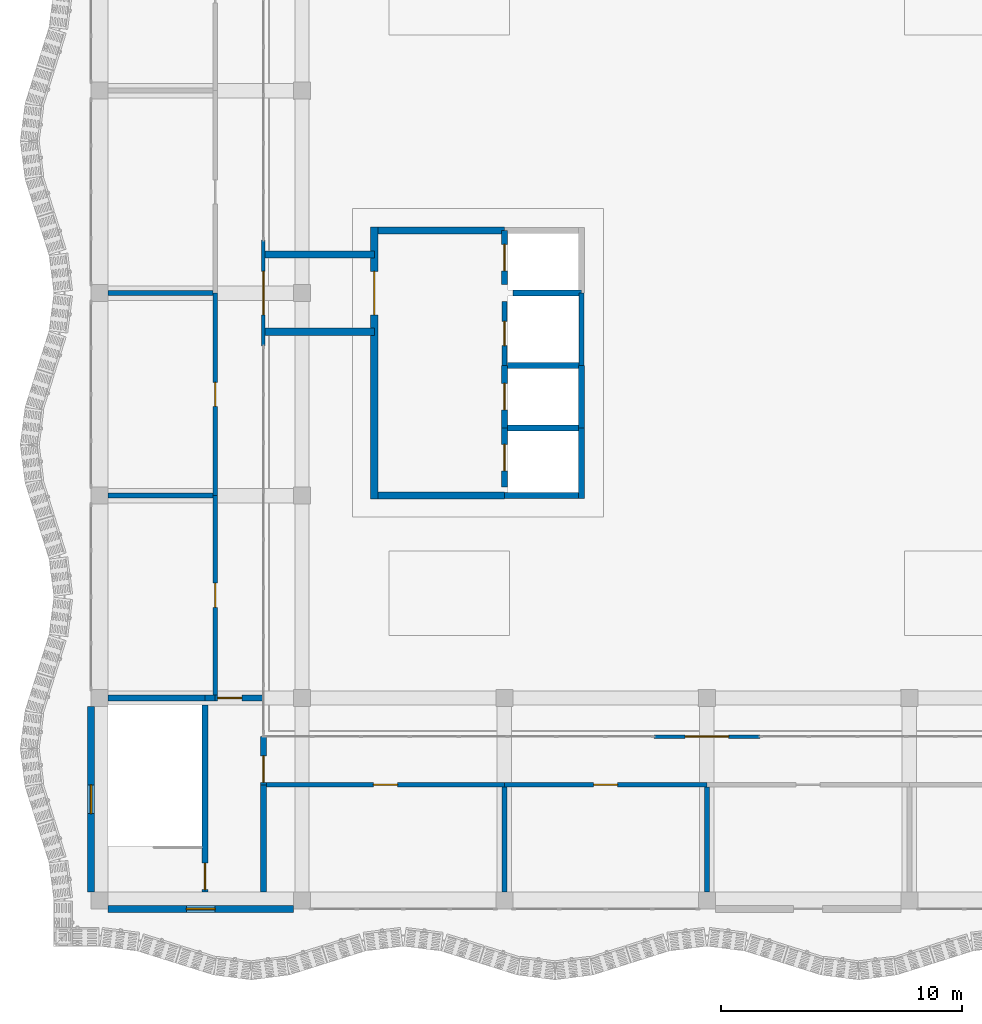
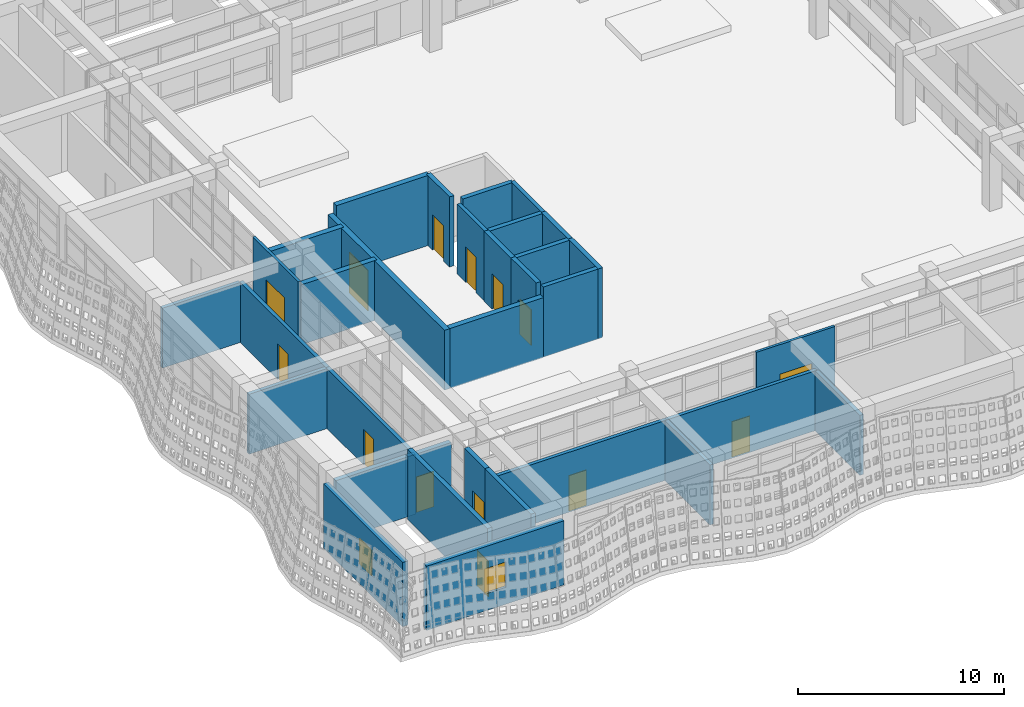
# One storey, part 40 of 85: 34 walls, 14 doors, 2 windows, 16 openings.
"""IFC4 building model written with IfcOpenShell, lengths in metres."""

from ifc_helpers import new_model, si_unit, direction, frame, frame_2d, origin, place, context, subcontext, project, spatial, rectangle, extrude, material, layer, layer_set, type_object, element, fill, save


model = new_model("IFC4")

# Units and contexts
model_context = context("Model", 3, precision=1e-05, world=origin(), true_north=direction((0.0, 1.0)))
body_context = subcontext(model_context, "Body", "Model", "MODEL_VIEW")
ifc_project = project(units=[si_unit("LENGTHUNIT", "METRE"), si_unit("AREAUNIT", "SQUARE_METRE"), si_unit("VOLUMEUNIT", "CUBIC_METRE"), si_unit("PLANEANGLEUNIT", "RADIAN"), si_unit("MASSUNIT", "GRAM", prefix="KILO")], contexts=[model_context])

# Site, building, storey
site_placement = place(None, origin())
site = spatial("IfcSite", under=ifc_project, at=site_placement, CompositionType="ELEMENT")
building_placement = place(site_placement, origin())
building = spatial("IfcBuilding", under=site, at=building_placement, Name="Rain Tree Exposition and Congress Centre", CompositionType="ELEMENT")
storey_placement = place(building_placement, frame((0.0, 0.0, 15.0)))
storey = spatial("IfcBuildingStorey", under=building, at=storey_placement, Name="L03", CompositionType="ELEMENT", Elevation=15.0)

# Wall, opening, door
ifc_material_1 = material(Name="Plasterboard on steel stud", Category="steel")
ifc_layer_1 = layer(ifc_material_1, 0.199951171875)
ifc_layer_set_1 = layer_set([ifc_layer_1], Name="Plasterboard on steel stud")
wall_type_1 = type_object("IfcWallType", Name="Wing acoustic partition 200", PredefinedType="PARTITIONING", material=ifc_layer_set_1)
wall_1_placement = place(storey_placement, frame((6.925048828125, 4.800048828125, 0.0), z_axis=(0.0, 0.0, 1.0), x_axis=(1.0, 0.0, 0.0)))
wall_1 = element("IfcWall", 1, at=wall_1_placement, inside=storey, type_object=wall_type_1, Name="wing/wall/L03/001", PredefinedType="PARTITIONING", context=body_context, shape_type="SweptSolid", body=[
    extrude(rectangle(XDim=9.875, YDim=0.199951171875, at=frame_2d((4.9375, 0.0))), origin(), (0.0, 0.0, 1.0), 3.550048828125),
])
opening_1_placement = place(wall_1_placement, frame((4.4375, 0.0, 0.0)))
opening_1 = element("IfcOpeningElement", 2, at=opening_1_placement, cuts=wall_1, Name="Opening DW417", PredefinedType="OPENING", context=body_context, shape_type="SweptSolid", body=[
    extrude(rectangle(XDim=1.0, YDim=2.10009765625, at=frame_2d((0.5, 1.050048828125))), frame((0.0, 0.10009765625, 0.0), z_axis=(0.0, -1.0, 0.0), x_axis=(1.0, 0.0, 0.0)), (0.0, 0.0, 1.0), 0.199951171875),
])
ifc_material_2 = material(Name="Timber door leaf", Category="wood")
door_type_1 = type_object("IfcDoorType", Name="Wing door FD30S 1000x2100", OperationType="NOTDEFINED", PredefinedType="DOOR", material=ifc_material_2)
door_1_placement = place(opening_1_placement, origin())
door_1 = element("IfcDoor", 3, at=door_1_placement, inside=storey, type_object=door_type_1, Name="Door DW417", OperationType="SINGLE_SWING_LEFT", OverallHeight=2.10009765625, OverallWidth=1.0, PredefinedType="DOOR", context=body_context, shape_type="SweptSolid", body=[
    extrude(rectangle(XDim=1.0, YDim=2.10009765625, at=frame_2d((0.5, 1.050048828125))), frame((0.0, 0.02490234375, 0.0), z_axis=(0.0, -1.0, 0.0), x_axis=(1.0, 0.0, 0.0)), (0.0, 0.0, 1.0), 0.050048828125),
])
fill(opening_1, door_1)

wall_2_placement = place(storey_placement, frame((16.800048828125, 4.800048828125, 0.0), z_axis=(0.0, 0.0, 1.0), x_axis=(1.0, 0.0, 0.0)))
wall_2 = element("IfcWall", 4, at=wall_2_placement, inside=storey, type_object=wall_type_1, Name="wing/wall/L03/002", PredefinedType="PARTITIONING", context=body_context, shape_type="SweptSolid", body=[
    extrude(rectangle(XDim=8.39990234375, YDim=0.199951171875, at=frame_2d((4.199951171875, 0.0))), origin(), (0.0, 0.0, 1.0), 3.550048828125),
])
opening_2_placement = place(wall_2_placement, frame((3.699951171875, 0.0, 0.0)))
opening_2 = element("IfcOpeningElement", 5, at=opening_2_placement, cuts=wall_2, Name="Opening DW418", PredefinedType="OPENING", context=body_context, shape_type="SweptSolid", body=[
    extrude(rectangle(XDim=1.0, YDim=2.10009765625, at=frame_2d((0.5, 1.050048828125))), frame((0.0, 0.10009765625, 0.0), z_axis=(0.0, -1.0, 0.0), x_axis=(1.0, 0.0, 0.0)), (0.0, 0.0, 1.0), 0.199951171875),
])
door_2_placement = place(opening_2_placement, origin())
door_2 = element("IfcDoor", 6, at=door_2_placement, inside=storey, type_object=door_type_1, Name="Door DW418", OperationType="SINGLE_SWING_LEFT", OverallHeight=2.10009765625, OverallWidth=1.0, PredefinedType="DOOR", context=body_context, shape_type="SweptSolid", body=[
    extrude(rectangle(XDim=1.0, YDim=2.10009765625, at=frame_2d((0.5, 1.050048828125))), frame((0.0, 0.02490234375, 0.0), z_axis=(0.0, -1.0, 0.0), x_axis=(1.0, 0.0, 0.0)), (0.0, 0.0, 1.0), 0.050048828125),
])
fill(opening_2, door_2)

# Walls
for number, where, z_axis, x_axis, name in (
    (7, (0.35009765625, 16.800048828125, 0.0), (0.0, 0.0, 1.0), (1.0, 0.0, 0.0), "wing/wall/L03/011"),
    (8, (0.35009765625, 25.199951171875, 0.0), (0.0, 0.0, 1.0), (1.0, 0.0, 0.0), "wing/wall/L03/018"),
):
    element("IfcWall", number, at=place(storey_placement, frame(where, z_axis=z_axis, x_axis=x_axis)), inside=storey, type_object=wall_type_1, Name=name, PredefinedType="PARTITIONING", context=body_context, shape_type="SweptSolid", body=[
        extrude(rectangle(XDim=4.349853515625, YDim=0.199951171875, at=frame_2d((2.1748046875, 0.0))), origin(), (0.0, 0.0, 1.0), 3.550048828125),
    ])

# Wall, opening, door
wall_3_placement = place(storey_placement, frame((4.800048828125, 8.52490234375, 0.0), z_axis=(0.0, 0.0, 1.0), x_axis=(0.0, 1.0, 0.0)))
wall_3 = element("IfcWall", 9, at=wall_3_placement, inside=storey, type_object=wall_type_1, Name="wing/wall/L03/039", PredefinedType="PARTITIONING", context=body_context, shape_type="SweptSolid", body=[
    extrude(rectangle(XDim=8.275146484375, YDim=0.199951171875, at=frame_2d((4.1376953125, 0.0))), origin(), (0.0, 0.0, 1.0), 3.550048828125),
])
opening_3_placement = place(wall_3_placement, frame((3.637451171875, 0.0, 0.0)))
opening_3 = element("IfcOpeningElement", 10, at=opening_3_placement, cuts=wall_3, Name="Opening DW421", PredefinedType="OPENING", context=body_context, shape_type="SweptSolid", body=[
    extrude(rectangle(XDim=1.0, YDim=2.10009765625, at=frame_2d((0.5, 1.050048828125))), frame((0.0, 0.10009765625, 0.0), z_axis=(0.0, -1.0, 0.0), x_axis=(1.0, 0.0, 0.0)), (0.0, 0.0, 1.0), 0.199951171875),
])
door_3_placement = place(opening_3_placement, origin())
door_3 = element("IfcDoor", 11, at=door_3_placement, inside=storey, type_object=door_type_1, Name="Door DW421", OperationType="SINGLE_SWING_LEFT", OverallHeight=2.10009765625, OverallWidth=1.0, PredefinedType="DOOR", context=body_context, shape_type="SweptSolid", body=[
    extrude(rectangle(XDim=1.0, YDim=2.10009765625, at=frame_2d((0.5, 1.050048828125))), frame((0.0, 0.02490234375, 0.0), z_axis=(0.0, -1.0, 0.0), x_axis=(1.0, 0.0, 0.0)), (0.0, 0.0, 1.0), 0.050048828125),
])
fill(opening_3, door_3)

wall_4_placement = place(storey_placement, frame((4.800048828125, 16.800048828125, 0.0), z_axis=(0.0, 0.0, 1.0), x_axis=(0.0, 1.0, 0.0)))
wall_4 = element("IfcWall", 12, at=wall_4_placement, inside=storey, type_object=wall_type_1, Name="wing/wall/L03/040", PredefinedType="PARTITIONING", context=body_context, shape_type="SweptSolid", body=[
    extrude(rectangle(XDim=8.39990234375, YDim=0.199951171875, at=frame_2d((4.199951171875, 0.0))), origin(), (0.0, 0.0, 1.0), 3.550048828125),
])
opening_4_placement = place(wall_4_placement, frame((3.699951171875, 0.0, 0.0)))
opening_4 = element("IfcOpeningElement", 13, at=opening_4_placement, cuts=wall_4, Name="Opening DW422", PredefinedType="OPENING", context=body_context, shape_type="SweptSolid", body=[
    extrude(rectangle(XDim=1.0, YDim=2.10009765625, at=frame_2d((0.5, 1.050048828125))), frame((0.0, 0.10009765625, 0.0), z_axis=(0.0, -1.0, 0.0), x_axis=(1.0, 0.0, 0.0)), (0.0, 0.0, 1.0), 0.199951171875),
])
door_4_placement = place(opening_4_placement, origin())
door_4 = element("IfcDoor", 14, at=door_4_placement, inside=storey, type_object=door_type_1, Name="Door DW422", OperationType="SINGLE_SWING_LEFT", OverallHeight=2.10009765625, OverallWidth=1.0, PredefinedType="DOOR", context=body_context, shape_type="SweptSolid", body=[
    extrude(rectangle(XDim=1.0, YDim=2.10009765625, at=frame_2d((0.5, 1.050048828125))), frame((0.0, 0.02490234375, 0.0), z_axis=(0.0, -1.0, 0.0), x_axis=(1.0, 0.0, 0.0)), (0.0, 0.0, 1.0), 0.050048828125),
])
fill(opening_4, door_4)

# Walls
for number, where, z_axis, x_axis, name in (
    (15, (16.800048828125, 0.35009765625, 0.0), (0.0, 0.0, 1.0), (0.0, 1.0, 0.0), "wing/wall/L03/049"),
    (16, (25.199951171875, 0.35009765625, 0.0), (0.0, 0.0, 1.0), (0.0, 1.0, 0.0), "wing/wall/L03/059"),
):
    element("IfcWall", number, at=place(storey_placement, frame(where, z_axis=z_axis, x_axis=x_axis)), inside=storey, type_object=wall_type_1, Name=name, PredefinedType="PARTITIONING", context=body_context, shape_type="SweptSolid", body=[
        extrude(rectangle(XDim=4.349853515625, YDim=0.199951171875, at=frame_2d((2.1748046875, 0.0))), origin(), (0.0, 0.0, 1.0), 3.550048828125),
    ])

# Wall, opening, door
ifc_material_3 = material(Name="Glazed aluminium infill", Category="aluminium")
ifc_layer_2 = layer(ifc_material_3, 0.14990234375)
ifc_layer_set_2 = layer_set([ifc_layer_2], Name="Glazed aluminium infill")
wall_type_2 = type_object("IfcWallType", Name="Wing court door bay wall 150", PredefinedType="SOLIDWALL", material=ifc_layer_set_2)
wall_5_placement = place(storey_placement, frame((23.0, 6.800048828125, 0.0), z_axis=(0.0, 0.0, 1.0), x_axis=(1.0, 0.0, 0.0)))
wall_5 = element("IfcWall", 17, at=wall_5_placement, inside=storey, type_object=wall_type_2, Name="wing/court/wall/S", PredefinedType="SOLIDWALL", context=body_context, shape_type="SweptSolid", body=[
    extrude(rectangle(XDim=4.39990234375, YDim=0.14990234375, at=frame_2d((2.199951171875, 0.0))), origin(), (0.0, 0.0, 1.0), 4.14990234375),
])
opening_5_placement = place(wall_5_placement, frame((1.300048828125, 0.0, 0.0)))
opening_5 = element("IfcOpeningElement", 18, at=opening_5_placement, cuts=wall_5, Name="Opening DW471", PredefinedType="OPENING", context=body_context, shape_type="SweptSolid", body=[
    extrude(rectangle(XDim=1.800048828125, YDim=2.39990234375, at=frame_2d((0.89990234375, 1.199951171875))), frame((0.0, 0.074951171875, 0.0), z_axis=(0.0, -1.0, 0.0), x_axis=(1.0, 0.0, 0.0)), (0.0, 0.0, 1.0), 0.14990234375),
])
ifc_material_4 = material(Name="Glazed aluminium door", Category="aluminium")
door_type_2 = type_object("IfcDoorType", Name="Wing entrance door 1800x2400", OperationType="DOUBLE_DOOR_DOUBLE_SWING", PredefinedType="DOOR", material=ifc_material_4)
door_5_placement = place(opening_5_placement, origin())
door_5 = element("IfcDoor", 19, at=door_5_placement, inside=storey, type_object=door_type_2, Name="Door DW471", OperationType="DOUBLE_DOOR_DOUBLE_SWING", OverallHeight=2.39990234375, OverallWidth=1.800048828125, PredefinedType="DOOR", context=body_context, shape_type="SweptSolid", body=[
    extrude(rectangle(XDim=1.800048828125, YDim=2.39990234375, at=frame_2d((0.89990234375, 1.199951171875))), frame((0.0, 0.02490234375, 0.0), z_axis=(0.0, -1.0, 0.0), x_axis=(1.0, 0.0, 0.0)), (0.0, 0.0, 1.0), 0.050048828125),
])
fill(opening_5, door_5)

wall_6_placement = place(storey_placement, frame((6.800048828125, 23.0, 0.0), z_axis=(0.0, 0.0, 1.0), x_axis=(0.0, 1.0, 0.0)))
wall_6 = element("IfcWall", 20, at=wall_6_placement, inside=storey, type_object=wall_type_2, Name="wing/court/wall/W", PredefinedType="SOLIDWALL", context=body_context, shape_type="SweptSolid", body=[
    extrude(rectangle(XDim=4.39990234375, YDim=0.14990234375, at=frame_2d((2.199951171875, 0.0))), origin(), (0.0, 0.0, 1.0), 4.14990234375),
])
opening_6_placement = place(wall_6_placement, frame((1.300048828125, 0.0, 0.0)))
opening_6 = element("IfcOpeningElement", 21, at=opening_6_placement, cuts=wall_6, Name="Opening DW473", PredefinedType="OPENING", context=body_context, shape_type="SweptSolid", body=[
    extrude(rectangle(XDim=1.800048828125, YDim=2.39990234375, at=frame_2d((0.89990234375, 1.199951171875))), frame((0.0, 0.074951171875, 0.0), z_axis=(0.0, -1.0, 0.0), x_axis=(1.0, 0.0, 0.0)), (0.0, 0.0, 1.0), 0.14990234375),
])
door_6_placement = place(opening_6_placement, origin())
door_6 = element("IfcDoor", 22, at=door_6_placement, inside=storey, type_object=door_type_2, Name="Door DW473", OperationType="DOUBLE_DOOR_DOUBLE_SWING", OverallHeight=2.39990234375, OverallWidth=1.800048828125, PredefinedType="DOOR", context=body_context, shape_type="SweptSolid", body=[
    extrude(rectangle(XDim=1.800048828125, YDim=2.39990234375, at=frame_2d((0.89990234375, 1.199951171875))), frame((0.0, 0.02490234375, 0.0), z_axis=(0.0, -1.0, 0.0), x_axis=(1.0, 0.0, 0.0)), (0.0, 0.0, 1.0), 0.050048828125),
])
fill(opening_6, door_6)

# Walls
ifc_material_5 = material(Name="Insulated cavity wall")
ifc_layer_3 = layer(ifc_material_5, 0.300048828125)
ifc_layer_set_3 = layer_set([ifc_layer_3], Name="Insulated cavity wall")
wall_type_3 = type_object("IfcWallType", Name="Wing court pavilion wall 300", PredefinedType="SOLIDWALL", material=ifc_layer_set_3)
wall_7_placement = place(storey_placement, frame((11.550048828125, 16.800048828125, 0.0), z_axis=(0.0, 0.0, 1.0), x_axis=(1.0, 0.0, 0.0)))
element("IfcWall", 23, at=wall_7_placement, inside=storey, type_object=wall_type_3, Name="wing/wall/L03/012", PredefinedType="SOLIDWALL", context=body_context, shape_type="SweptSolid", body=[
    extrude(rectangle(XDim=5.25, YDim=0.300048828125, at=frame_2d((2.625, 0.0))), origin(), (0.0, 0.0, 1.0), 3.550048828125),
])
for number, where, z_axis, x_axis, name in (
    (24, (6.875, 23.60009765625, 0.0), (0.0, 0.0, 1.0), (1.0, 0.0, 0.0), "wing/wall/L03/017"),
    (25, (6.875, 26.800048828125, 0.0), (0.0, 0.0, 1.0), (1.0, 0.0, 0.0), "wing/wall/L03/021"),
):
    element("IfcWall", number, at=place(storey_placement, frame(where, z_axis=z_axis, x_axis=x_axis)), inside=storey, type_object=wall_type_3, Name=name, PredefinedType="SOLIDWALL", context=body_context, shape_type="SweptSolid", body=[
        extrude(rectangle(XDim=4.52490234375, YDim=0.300048828125, at=frame_2d((2.262451171875, 0.0))), origin(), (0.0, 0.0, 1.0), 3.550048828125),
    ])
wall_8_placement = place(storey_placement, frame((11.550048828125, 27.800048828125, 0.0), z_axis=(0.0, 0.0, 1.0), x_axis=(1.0, 0.0, 0.0)))
element("IfcWall", 26, at=wall_8_placement, inside=storey, type_object=wall_type_3, Name="wing/wall/L03/022", PredefinedType="SOLIDWALL", context=body_context, shape_type="SweptSolid", body=[
    extrude(rectangle(XDim=5.25, YDim=0.300048828125, at=frame_2d((2.625, 0.0))), origin(), (0.0, 0.0, 1.0), 4.14990234375),
])

# Wall, opening, door
wall_9_placement = place(storey_placement, frame((11.39990234375, 16.64990234375, 0.0), z_axis=(0.0, 0.0, 1.0), x_axis=(0.0, 1.0, 0.0)))
wall_9 = element("IfcWall", 27, at=wall_9_placement, inside=storey, type_object=wall_type_3, Name="wing/wall/L03/047", PredefinedType="SOLIDWALL", context=body_context, shape_type="SweptSolid", body=[
    extrude(rectangle(XDim=11.300048828125, YDim=0.300048828125, at=frame_2d((5.64990234375, 0.0))), origin(), (0.0, 0.0, 1.0), 3.550048828125),
])
opening_7_placement = place(wall_9_placement, frame((7.64990234375, 0.0, 0.0)))
opening_7 = element("IfcOpeningElement", 28, at=opening_7_placement, cuts=wall_9, Name="Opening DW470", PredefinedType="OPENING", context=body_context, shape_type="SweptSolid", body=[
    extrude(rectangle(XDim=1.800048828125, YDim=2.39990234375, at=frame_2d((0.89990234375, 1.199951171875))), frame((0.0, 0.14990234375, 0.0), z_axis=(0.0, -1.0, 0.0), x_axis=(1.0, 0.0, 0.0)), (0.0, 0.0, 1.0), 0.300048828125),
])
door_7_placement = place(opening_7_placement, origin())
door_7 = element("IfcDoor", 29, at=door_7_placement, inside=storey, type_object=door_type_2, Name="Door DW470", OperationType="DOUBLE_DOOR_DOUBLE_SWING", OverallHeight=2.39990234375, OverallWidth=1.800048828125, PredefinedType="DOOR", context=body_context, shape_type="SweptSolid", body=[
    extrude(rectangle(XDim=1.800048828125, YDim=2.39990234375, at=frame_2d((0.89990234375, 1.199951171875))), frame((0.0, 0.02490234375, 0.0), z_axis=(0.0, -1.0, 0.0), x_axis=(1.0, 0.0, 0.0)), (0.0, 0.0, 1.0), 0.050048828125),
])
fill(opening_7, door_7)

# Wall, opening, window
ifc_material_6 = material(Name="Insulated cavity wall")
ifc_layer_4 = layer(ifc_material_6, 0.300048828125)
ifc_layer_set_4 = layer_set([ifc_layer_4], Name="Insulated cavity wall")
wall_type_4 = type_object("IfcWallType", Name="Wing external wall 300", PredefinedType="SOLIDWALL", material=ifc_layer_set_4)
wall_10_placement = place(storey_placement, frame((0.35009765625, -0.35009765625, 0.0), z_axis=(0.0, 0.0, 1.0), x_axis=(1.0, 0.0, 0.0)))
wall_10 = element("IfcWall", 30, at=wall_10_placement, inside=storey, type_object=wall_type_4, Name="wing/facade/L03/S0", PredefinedType="SOLIDWALL", context=body_context, shape_type="SweptSolid", body=[
    extrude(rectangle(XDim=7.699951171875, YDim=0.300048828125, at=frame_2d((3.85009765625, 0.0))), origin(), (0.0, 0.0, 1.0), 3.800048828125),
])
opening_8_placement = place(wall_10_placement, frame((3.25, 0.0, 1.0)))
opening_8 = element("IfcOpeningElement", 31, at=opening_8_placement, cuts=wall_10, Name="Opening WW401", PredefinedType="OPENING", context=body_context, shape_type="SweptSolid", body=[
    extrude(rectangle(XDim=1.199951171875, YDim=1.5, at=frame_2d((0.60009765625, 0.75))), frame((0.0, 0.14990234375, 0.0), z_axis=(0.0, -1.0, 0.0), x_axis=(1.0, 0.0, 0.0)), (0.0, 0.0, 1.0), 0.300048828125),
])
ifc_material_7 = material(Name="Aluminium framed glazing", Category="aluminium")
window_type = type_object("IfcWindowType", Name="Wing window 1200x1500", PartitioningType="SINGLE_PANEL", PredefinedType="WINDOW", material=ifc_material_7)
window_1_placement = place(opening_8_placement, origin())
window_1 = element("IfcWindow", 32, at=window_1_placement, inside=storey, type_object=window_type, Name="wing/window/L03/01", OverallHeight=1.5, OverallWidth=1.199951171875, PartitioningType="SINGLE_PANEL", PredefinedType="WINDOW", context=body_context, shape_type="SweptSolid", body=[
    extrude(rectangle(XDim=1.199951171875, YDim=1.5, at=frame_2d((0.60009765625, 0.75))), frame((0.0, 0.030029296875, 0.0), z_axis=(0.0, -1.0, 0.0), x_axis=(1.0, 0.0, 0.0)), (0.0, 0.0, 1.0), 0.06005859375),
])
fill(opening_8, window_1)

wall_11_placement = place(storey_placement, frame((-0.35009765625, 0.35009765625, 0.0), z_axis=(0.0, 0.0, 1.0), x_axis=(0.0, 1.0, 0.0)))
wall_11 = element("IfcWall", 33, at=wall_11_placement, inside=storey, type_object=wall_type_4, Name="wing/facade/L03/W0", PredefinedType="SOLIDWALL", context=body_context, shape_type="SweptSolid", body=[
    extrude(rectangle(XDim=7.699951171875, YDim=0.300048828125, at=frame_2d((3.85009765625, 0.0))), origin(), (0.0, 0.0, 1.0), 3.800048828125),
])
opening_9_placement = place(wall_11_placement, frame((3.25, 0.0, 1.0)))
opening_9 = element("IfcOpeningElement", 34, at=opening_9_placement, cuts=wall_11, Name="Opening WW405", PredefinedType="OPENING", context=body_context, shape_type="SweptSolid", body=[
    extrude(rectangle(XDim=1.199951171875, YDim=1.5, at=frame_2d((0.60009765625, 0.75))), frame((0.0, 0.14990234375, 0.0), z_axis=(0.0, -1.0, 0.0), x_axis=(1.0, 0.0, 0.0)), (0.0, 0.0, 1.0), 0.300048828125),
])
window_2_placement = place(opening_9_placement, origin())
window_2 = element("IfcWindow", 35, at=window_2_placement, inside=storey, type_object=window_type, Name="wing/window/L03/05", OverallHeight=1.5, OverallWidth=1.199951171875, PartitioningType="SINGLE_PANEL", PredefinedType="WINDOW", context=body_context, shape_type="SweptSolid", body=[
    extrude(rectangle(XDim=1.199951171875, YDim=1.5, at=frame_2d((0.60009765625, 0.75))), frame((0.0, 0.030029296875, 0.0), z_axis=(0.0, -1.0, 0.0), x_axis=(1.0, 0.0, 0.0)), (0.0, 0.0, 1.0), 0.06005859375),
])
fill(opening_9, window_2)

# Walls
ifc_material_8 = material(Name="Concrete C40/50", Category="concrete")
ifc_layer_5 = layer(ifc_material_8, 0.25)
ifc_layer_set_5 = layer_set([ifc_layer_5], Name="Concrete C40/50")
wall_type_5 = type_object("IfcWallType", Name="Wing lift shaft wall 250", PredefinedType="SHEAR", material=ifc_layer_set_5)
for number, where, z_axis, x_axis, name in (
    (36, (16.800048828125, 16.800048828125, 0.0), (0.0, 0.0, 1.0), (1.0, 0.0, 0.0), "wing/wall/L03/013"),
    (37, (16.925048828125, 19.60009765625, 0.0), (0.0, 0.0, 1.0), (1.0, 0.0, 0.0), "wing/wall/L03/015"),
    (38, (16.925048828125, 22.199951171875, 0.0), (0.0, 0.0, 1.0), (1.0, 0.0, 0.0), "wing/wall/L03/016"),
):
    element("IfcWall", number, at=place(storey_placement, frame(where, z_axis=z_axis, x_axis=x_axis)), inside=storey, type_object=wall_type_5, Name=name, PredefinedType="SHEAR", context=body_context, shape_type="SweptSolid", body=[
        extrude(rectangle(XDim=3.074951171875, YDim=0.25, at=frame_2d((1.53759765625, 0.0))), origin(), (0.0, 0.0, 1.0), 4.14990234375),
    ])
wall_12_placement = place(storey_placement, frame((17.14990234375, 25.199951171875, 0.0), z_axis=(0.0, 0.0, 1.0), x_axis=(1.0, 0.0, 0.0)))
element("IfcWall", 39, at=wall_12_placement, inside=storey, type_object=wall_type_5, Name="wing/wall/L03/019", PredefinedType="SHEAR", context=body_context, shape_type="SweptSolid", body=[
    extrude(rectangle(XDim=2.85009765625, YDim=0.25, at=frame_2d((1.425048828125, 0.0))), origin(), (0.0, 0.0, 1.0), 4.14990234375),
])

# Wall, opening, door
wall_13_placement = place(storey_placement, frame((16.800048828125, 17.14990234375, 0.0), z_axis=(0.0, 0.0, 1.0), x_axis=(0.0, 1.0, 0.0)))
wall_13 = element("IfcWall", 40, at=wall_13_placement, inside=storey, type_object=wall_type_5, Name="wing/wall/L03/050", PredefinedType="SHEAR", context=body_context, shape_type="SweptSolid", body=[
    extrude(rectangle(XDim=2.4501953125, YDim=0.25, at=frame_2d((1.22509765625, 0.0))), origin(), (0.0, 0.0, 1.0), 4.14990234375),
])
opening_10_placement = place(wall_13_placement, frame((0.675048828125, 0.0, 0.0)))
opening_10 = element("IfcOpeningElement", 41, at=opening_10_placement, cuts=wall_13, Name="Opening DW413", PredefinedType="OPENING", context=body_context, shape_type="SweptSolid", body=[
    extrude(rectangle(XDim=1.10009765625, YDim=2.10009765625, at=frame_2d((0.550048828125, 1.050048828125))), frame((0.0, 0.125, 0.0), z_axis=(0.0, -1.0, 0.0), x_axis=(1.0, 0.0, 0.0)), (0.0, 0.0, 1.0), 0.25),
])
ifc_material_9 = material(Name="Stainless steel", Category="steel")
door_type_3 = type_object("IfcDoorType", Name="Lift landing door 1100x2100", OperationType="DOUBLE_DOOR_SLIDING", PredefinedType="DOOR", material=ifc_material_9)
door_8_placement = place(opening_10_placement, origin())
door_8 = element("IfcDoor", 42, at=door_8_placement, inside=storey, type_object=door_type_3, Name="Landing door DW413", OperationType="DOUBLE_DOOR_SLIDING", OverallHeight=2.10009765625, OverallWidth=1.10009765625, PredefinedType="DOOR", context=body_context, shape_type="SweptSolid", body=[
    extrude(rectangle(XDim=1.10009765625, YDim=2.10009765625, at=frame_2d((0.550048828125, 1.050048828125))), frame((0.0, 0.02490234375, 0.0), z_axis=(0.0, -1.0, 0.0), x_axis=(1.0, 0.0, 0.0)), (0.0, 0.0, 1.0), 0.050048828125),
])
fill(opening_10, door_8)

wall_14_placement = place(storey_placement, frame((16.800048828125, 19.60009765625, 0.0), z_axis=(0.0, 0.0, 1.0), x_axis=(0.0, 1.0, 0.0)))
wall_14 = element("IfcWall", 43, at=wall_14_placement, inside=storey, type_object=wall_type_5, Name="wing/wall/L03/051", PredefinedType="SHEAR", context=body_context, shape_type="SweptSolid", body=[
    extrude(rectangle(XDim=2.599853515625, YDim=0.25, at=frame_2d((1.2998046875, 0.0))), origin(), (0.0, 0.0, 1.0), 4.14990234375),
])
opening_11_placement = place(wall_14_placement, frame((0.75, 0.0, 0.0)))
opening_11 = element("IfcOpeningElement", 44, at=opening_11_placement, cuts=wall_14, Name="Opening DW414", PredefinedType="OPENING", context=body_context, shape_type="SweptSolid", body=[
    extrude(rectangle(XDim=1.10009765625, YDim=2.10009765625, at=frame_2d((0.550048828125, 1.050048828125))), frame((0.0, 0.125, 0.0), z_axis=(0.0, -1.0, 0.0), x_axis=(1.0, 0.0, 0.0)), (0.0, 0.0, 1.0), 0.25),
])
door_9_placement = place(opening_11_placement, origin())
door_9 = element("IfcDoor", 45, at=door_9_placement, inside=storey, type_object=door_type_3, Name="Landing door DW414", OperationType="DOUBLE_DOOR_SLIDING", OverallHeight=2.10009765625, OverallWidth=1.10009765625, PredefinedType="DOOR", context=body_context, shape_type="SweptSolid", body=[
    extrude(rectangle(XDim=1.10009765625, YDim=2.10009765625, at=frame_2d((0.550048828125, 1.050048828125))), frame((0.0, 0.02490234375, 0.0), z_axis=(0.0, -1.0, 0.0), x_axis=(1.0, 0.0, 0.0)), (0.0, 0.0, 1.0), 0.050048828125),
])
fill(opening_11, door_9)

wall_15_placement = place(storey_placement, frame((16.800048828125, 25.550048828125, 0.0), z_axis=(0.0, 0.0, 1.0), x_axis=(0.0, 1.0, 0.0)))
wall_15 = element("IfcWall", 46, at=wall_15_placement, inside=storey, type_object=wall_type_5, Name="wing/wall/L03/053", PredefinedType="SHEAR", context=body_context, shape_type="SweptSolid", body=[
    extrude(rectangle(XDim=2.25, YDim=0.25, at=frame_2d((1.125, 0.0))), origin(), (0.0, 0.0, 1.0), 4.14990234375),
])
opening_12_placement = place(wall_15_placement, frame((0.574951171875, 0.0, 0.0)))
opening_12 = element("IfcOpeningElement", 47, at=opening_12_placement, cuts=wall_15, Name="Opening DW416", PredefinedType="OPENING", context=body_context, shape_type="SweptSolid", body=[
    extrude(rectangle(XDim=1.10009765625, YDim=2.10009765625, at=frame_2d((0.550048828125, 1.050048828125))), frame((0.0, 0.125, 0.0), z_axis=(0.0, -1.0, 0.0), x_axis=(1.0, 0.0, 0.0)), (0.0, 0.0, 1.0), 0.25),
])
door_10_placement = place(opening_12_placement, origin())
door_10 = element("IfcDoor", 48, at=door_10_placement, inside=storey, type_object=door_type_3, Name="Landing door DW416", OperationType="DOUBLE_DOOR_SLIDING", OverallHeight=2.10009765625, OverallWidth=1.10009765625, PredefinedType="DOOR", context=body_context, shape_type="SweptSolid", body=[
    extrude(rectangle(XDim=1.10009765625, YDim=2.10009765625, at=frame_2d((0.550048828125, 1.050048828125))), frame((0.0, 0.02490234375, 0.0), z_axis=(0.0, -1.0, 0.0), x_axis=(1.0, 0.0, 0.0)), (0.0, 0.0, 1.0), 0.050048828125),
])
fill(opening_12, door_10)

# Walls
wall_16_placement = place(storey_placement, frame((20.0, 16.675048828125, 0.0), z_axis=(0.0, 0.0, 1.0), x_axis=(0.0, 1.0, 0.0)))
element("IfcWall", 49, at=wall_16_placement, inside=storey, type_object=wall_type_5, Name="wing/wall/L03/055", PredefinedType="SHEAR", context=body_context, shape_type="SweptSolid", body=[
    extrude(rectangle(XDim=2.925048828125, YDim=0.25, at=frame_2d((1.46240234375, 0.0))), origin(), (0.0, 0.0, 1.0), 4.14990234375),
])
wall_17_placement = place(storey_placement, frame((20.0, 19.60009765625, 0.0), z_axis=(0.0, 0.0, 1.0), x_axis=(0.0, 1.0, 0.0)))
element("IfcWall", 50, at=wall_17_placement, inside=storey, type_object=wall_type_5, Name="wing/wall/L03/056", PredefinedType="SHEAR", context=body_context, shape_type="SweptSolid", body=[
    extrude(rectangle(XDim=2.599853515625, YDim=0.25, at=frame_2d((1.2998046875, 0.0))), origin(), (0.0, 0.0, 1.0), 4.14990234375),
])

# Wall, opening, door
ifc_material_10 = material(Name="Dense blockwork", Category="masonry")
ifc_layer_6 = layer(ifc_material_10, 0.199951171875)
ifc_layer_set_6 = layer_set([ifc_layer_6], Name="Dense blockwork")
wall_type_6 = type_object("IfcWallType", Name="Wing riser wall 200", PredefinedType="SOLIDWALL", material=ifc_layer_set_6)
wall_18_placement = place(storey_placement, frame((16.800048828125, 22.199951171875, 0.0), z_axis=(0.0, 0.0, 1.0), x_axis=(0.0, 1.0, 0.0)))
wall_18 = element("IfcWall", 51, at=wall_18_placement, inside=storey, type_object=wall_type_6, Name="wing/wall/L03/052", PredefinedType="SOLIDWALL", context=body_context, shape_type="SweptSolid", body=[
    extrude(rectangle(XDim=2.650146484375, YDim=0.199951171875, at=frame_2d((1.3251953125, 0.0))), origin(), (0.0, 0.0, 1.0), 4.14990234375),
])
opening_13_placement = place(wall_18_placement, frame((0.824951171875, 0.0, 0.0)))
opening_13 = element("IfcOpeningElement", 52, at=opening_13_placement, cuts=wall_18, Name="Opening DW415", PredefinedType="OPENING", context=body_context, shape_type="SweptSolid", body=[
    extrude(rectangle(XDim=1.0, YDim=2.10009765625, at=frame_2d((0.5, 1.050048828125))), frame((0.0, 0.10009765625, 0.0), z_axis=(0.0, -1.0, 0.0), x_axis=(1.0, 0.0, 0.0)), (0.0, 0.0, 1.0), 0.199951171875),
])
ifc_material_11 = material(Name="Timber door leaf", Category="wood")
door_type_4 = type_object("IfcDoorType", Name="Wing riser access door FD30S 1000x2100", OperationType="NOTDEFINED", PredefinedType="DOOR", material=ifc_material_11)
door_11_placement = place(opening_13_placement, origin())
door_11 = element("IfcDoor", 53, at=door_11_placement, inside=storey, type_object=door_type_4, Name="Riser access door DW415", OperationType="SINGLE_SWING_LEFT", OverallHeight=2.10009765625, OverallWidth=1.0, PredefinedType="DOOR", context=body_context, shape_type="SweptSolid", body=[
    extrude(rectangle(XDim=1.0, YDim=2.10009765625, at=frame_2d((0.5, 1.050048828125))), frame((0.0, 0.02490234375, 0.0), z_axis=(0.0, -1.0, 0.0), x_axis=(1.0, 0.0, 0.0)), (0.0, 0.0, 1.0), 0.050048828125),
])
fill(opening_13, door_11)

# Walls
wall_19_placement = place(storey_placement, frame((20.0, 22.199951171875, 0.0), z_axis=(0.0, 0.0, 1.0), x_axis=(0.0, 1.0, 0.0)))
element("IfcWall", 54, at=wall_19_placement, inside=storey, type_object=wall_type_6, Name="wing/wall/L03/057", PredefinedType="SOLIDWALL", context=body_context, shape_type="SweptSolid", body=[
    extrude(rectangle(XDim=3.0, YDim=0.199951171875, at=frame_2d((1.5, 0.0))), origin(), (0.0, 0.0, 1.0), 4.14990234375),
])
ifc_material_12 = material(Name="Concrete C40/50", Category="concrete")
ifc_layer_7 = layer(ifc_material_12, 0.25)
ifc_layer_set_7 = layer_set([ifc_layer_7], Name="Concrete C40/50")
wall_type_7 = type_object("IfcWallType", Name="Wing stair wall 250", PredefinedType="SHEAR", material=ifc_layer_set_7)
wall_20_placement = place(storey_placement, frame((0.35009765625, 8.39990234375, 0.0), z_axis=(0.0, 0.0, 1.0), x_axis=(1.0, 0.0, 0.0)))
element("IfcWall", 55, at=wall_20_placement, inside=storey, type_object=wall_type_7, Name="wing/wall/L03/005", PredefinedType="SHEAR", context=body_context, shape_type="SweptSolid", body=[
    extrude(rectangle(XDim=4.02490234375, YDim=0.25, at=frame_2d((2.012451171875, 0.0))), origin(), (0.0, 0.0, 1.0), 3.550048828125),
])
wall_21_placement = place(storey_placement, frame((4.375, 8.39990234375, 0.0), z_axis=(0.0, 0.0, 1.0), x_axis=(1.0, 0.0, 0.0)))
element("IfcWall", 56, at=wall_21_placement, inside=storey, type_object=wall_type_7, Name="wing/wall/L03/006", PredefinedType="SHEAR", context=body_context, shape_type="SweptSolid", body=[
    extrude(rectangle(XDim=0.425048828125, YDim=0.25, at=frame_2d((0.21240234375, 0.0))), origin(), (0.0, 0.0, 1.0), 3.550048828125),
])

# Wall, opening, door
wall_22_placement = place(storey_placement, frame((4.800048828125, 8.39990234375, 0.0), z_axis=(0.0, 0.0, 1.0), x_axis=(1.0, 0.0, 0.0)))
wall_22 = element("IfcWall", 57, at=wall_22_placement, inside=storey, type_object=wall_type_7, Name="wing/wall/L03/007", PredefinedType="SHEAR", context=body_context, shape_type="SweptSolid", body=[
    extrude(rectangle(XDim=2.0, YDim=0.25, at=frame_2d((1.0, 0.0))), origin(), (0.0, 0.0, 1.0), 3.550048828125),
])
opening_14_placement = place(wall_22_placement, frame((0.10009765625, 0.0, 0.0)))
opening_14 = element("IfcOpeningElement", 58, at=opening_14_placement, cuts=wall_22, Name="Opening DW409", PredefinedType="OPENING", context=body_context, shape_type="SweptSolid", body=[
    extrude(rectangle(XDim=1.0, YDim=2.10009765625, at=frame_2d((0.5, 1.050048828125))), frame((0.0, 0.125, 0.0), z_axis=(0.0, -1.0, 0.0), x_axis=(1.0, 0.0, 0.0)), (0.0, 0.0, 1.0), 0.25),
])
ifc_material_13 = material(Name="Timber door leaf", Category="wood")
door_type_5 = type_object("IfcDoorType", Name="Wing door FD60 1000x2100", OperationType="NOTDEFINED", PredefinedType="DOOR", material=ifc_material_13)
door_12_placement = place(opening_14_placement, origin())
door_12 = element("IfcDoor", 59, at=door_12_placement, inside=storey, type_object=door_type_5, Name="Door DW409", OperationType="SINGLE_SWING_LEFT", OverallHeight=2.10009765625, OverallWidth=1.0, PredefinedType="DOOR", context=body_context, shape_type="SweptSolid", body=[
    extrude(rectangle(XDim=1.0, YDim=2.10009765625, at=frame_2d((0.5, 1.050048828125))), frame((0.0, 0.02490234375, 0.0), z_axis=(0.0, -1.0, 0.0), x_axis=(1.0, 0.0, 0.0)), (0.0, 0.0, 1.0), 0.050048828125),
])
fill(opening_14, door_12)

wall_23_placement = place(storey_placement, frame((4.375, 0.35009765625, 0.0), z_axis=(0.0, 0.0, 1.0), x_axis=(0.0, 1.0, 0.0)))
wall_23 = element("IfcWall", 60, at=wall_23_placement, inside=storey, type_object=wall_type_7, Name="wing/wall/L03/037", PredefinedType="SHEAR", context=body_context, shape_type="SweptSolid", body=[
    extrude(rectangle(XDim=7.75, YDim=0.25, at=frame_2d((3.875, 0.0))), origin(), (0.0, 0.0, 1.0), 4.14990234375),
])
opening_15_placement = place(wall_23_placement, frame((0.10009765625, 0.0, 0.0)))
opening_15 = element("IfcOpeningElement", 61, at=opening_15_placement, cuts=wall_23, Name="Opening DW401", PredefinedType="OPENING", context=body_context, shape_type="SweptSolid", body=[
    extrude(rectangle(XDim=1.10009765625, YDim=2.10009765625, at=frame_2d((0.550048828125, 1.050048828125))), frame((0.0, 0.125, 0.0), z_axis=(0.0, -1.0, 0.0), x_axis=(1.0, 0.0, 0.0)), (0.0, 0.0, 1.0), 0.25),
])
ifc_material_14 = material(Name="Timber door leaf", Category="wood")
door_type_6 = type_object("IfcDoorType", Name="Wing door FD60 1100x2100", OperationType="NOTDEFINED", PredefinedType="DOOR", material=ifc_material_14)
door_13_placement = place(opening_15_placement, origin())
door_13 = element("IfcDoor", 62, at=door_13_placement, inside=storey, type_object=door_type_6, Name="Door DW401", OperationType="SINGLE_SWING_LEFT", OverallHeight=2.10009765625, OverallWidth=1.10009765625, PredefinedType="DOOR", context=body_context, shape_type="SweptSolid", body=[
    extrude(rectangle(XDim=1.10009765625, YDim=2.10009765625, at=frame_2d((0.550048828125, 1.050048828125))), frame((0.0, 0.02490234375, 0.0), z_axis=(0.0, -1.0, 0.0), x_axis=(1.0, 0.0, 0.0)), (0.0, 0.0, 1.0), 0.050048828125),
])
fill(opening_15, door_13)

# Wall
wall_24_placement = place(storey_placement, frame((6.800048828125, 0.35009765625, 0.0), z_axis=(0.0, 0.0, 1.0), x_axis=(0.0, 1.0, 0.0)))
element("IfcWall", 63, at=wall_24_placement, inside=storey, type_object=wall_type_7, Name="wing/wall/L03/043", PredefinedType="SHEAR", context=body_context, shape_type="SweptSolid", body=[
    extrude(rectangle(XDim=4.449951171875, YDim=0.25, at=frame_2d((2.22509765625, 0.0))), origin(), (0.0, 0.0, 1.0), 4.14990234375),
])

# Wall, opening, door
wall_25_placement = place(storey_placement, frame((6.800048828125, 4.800048828125, 0.0), z_axis=(0.0, 0.0, 1.0), x_axis=(0.0, 1.0, 0.0)))
wall_25 = element("IfcWall", 64, at=wall_25_placement, inside=storey, type_object=wall_type_7, Name="wing/wall/L03/044", PredefinedType="SHEAR", context=body_context, shape_type="SweptSolid", body=[
    extrude(rectangle(XDim=2.0, YDim=0.25, at=frame_2d((1.0, 0.0))), origin(), (0.0, 0.0, 1.0), 4.14990234375),
])
opening_16_placement = place(wall_25_placement, frame((0.10009765625, 0.0, 0.0)))
opening_16 = element("IfcOpeningElement", 65, at=opening_16_placement, cuts=wall_25, Name="Opening DW402", PredefinedType="OPENING", context=body_context, shape_type="SweptSolid", body=[
    extrude(rectangle(XDim=1.10009765625, YDim=2.10009765625, at=frame_2d((0.550048828125, 1.050048828125))), frame((0.0, 0.125, 0.0), z_axis=(0.0, -1.0, 0.0), x_axis=(1.0, 0.0, 0.0)), (0.0, 0.0, 1.0), 0.25),
])
door_14_placement = place(opening_16_placement, origin())
door_14 = element("IfcDoor", 66, at=door_14_placement, inside=storey, type_object=door_type_6, Name="Door DW402", OperationType="SINGLE_SWING_LEFT", OverallHeight=2.10009765625, OverallWidth=1.10009765625, PredefinedType="DOOR", context=body_context, shape_type="SweptSolid", body=[
    extrude(rectangle(XDim=1.10009765625, YDim=2.10009765625, at=frame_2d((0.550048828125, 1.050048828125))), frame((0.0, 0.02490234375, 0.0), z_axis=(0.0, -1.0, 0.0), x_axis=(1.0, 0.0, 0.0)), (0.0, 0.0, 1.0), 0.050048828125),
])
fill(opening_16, door_14)

save(model, "model.ifc")
